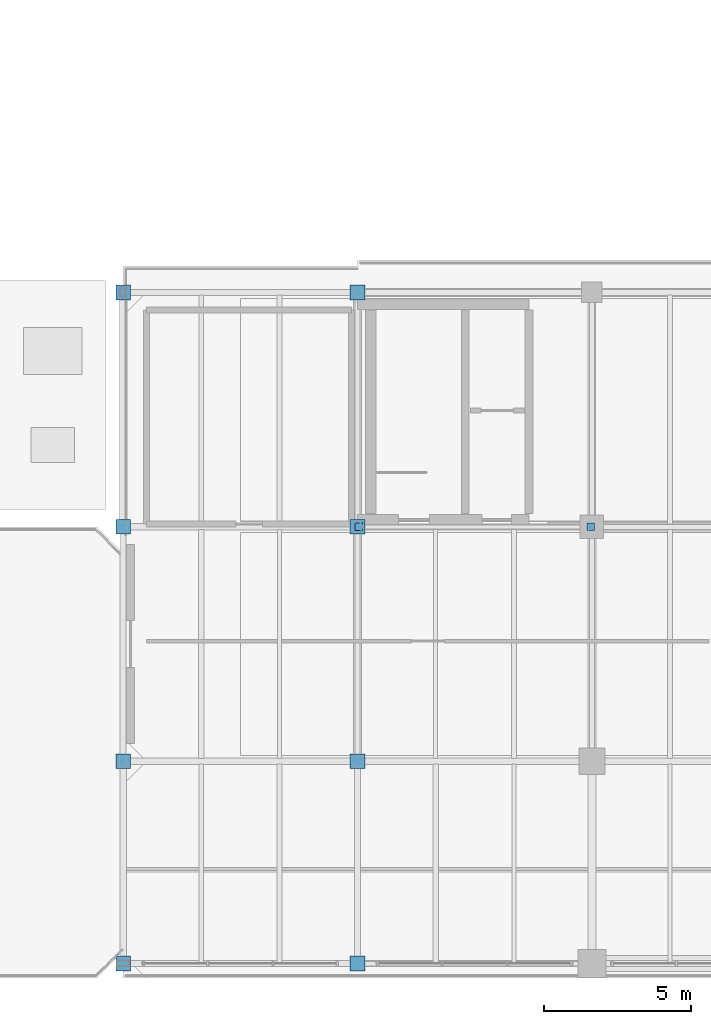
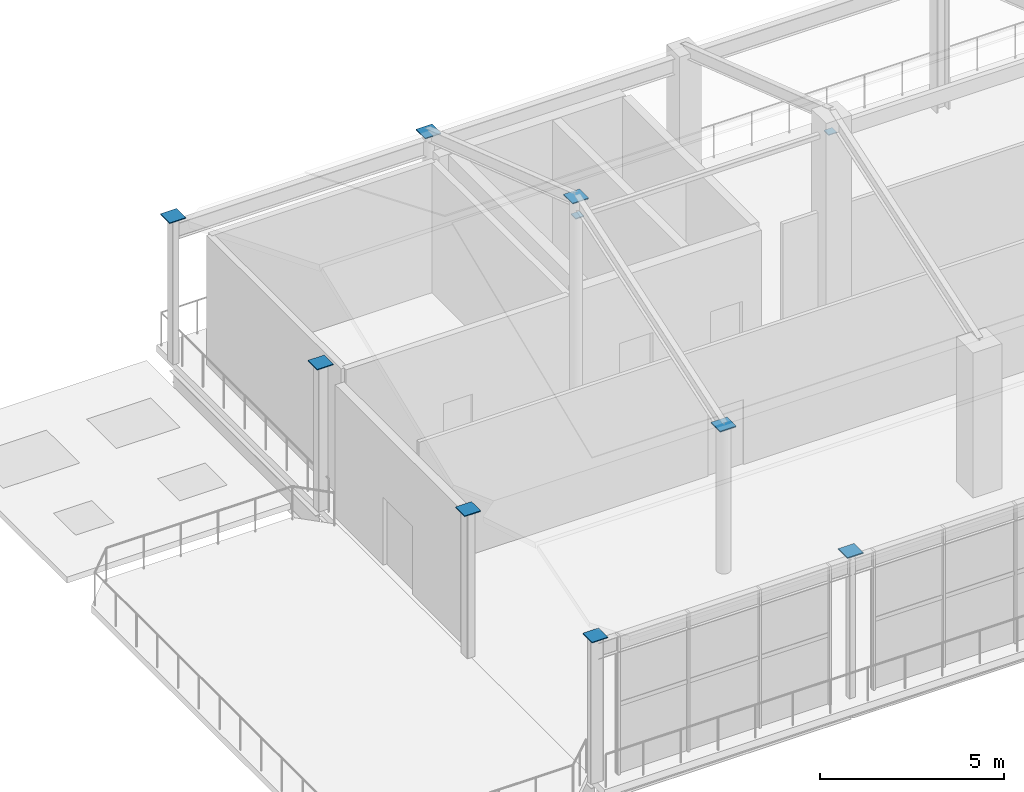
# One storey, part 43 of 51: 10 discrete accessories.
"""IFC4 building model written with IfcOpenShell, lengths in metres."""

from ifc_helpers import new_model, si_unit, direction, frame, origin, origin_2d, place, context, subcontext, project, spatial, rectangle, extrude, material, type_object, element, save


model = new_model("IFC4")

# Units and contexts
model_context = context("Model", 3, precision=1e-05, world=origin(), true_north=direction((0.0, 1.0)))
body_context = subcontext(model_context, "Body", "Model", "MODEL_VIEW")
ifc_project = project(units=[si_unit("LENGTHUNIT", "METRE"), si_unit("AREAUNIT", "SQUARE_METRE"), si_unit("VOLUMEUNIT", "CUBIC_METRE"), si_unit("PLANEANGLEUNIT", "RADIAN"), si_unit("MASSUNIT", "GRAM", prefix="KILO")], contexts=[model_context])

# Site, building, storey
site_placement = place(None, origin())
site = spatial("IfcSite", under=ifc_project, at=site_placement, CompositionType="ELEMENT")
building_placement = place(site_placement, origin())
building = spatial("IfcBuilding", under=site, at=building_placement, Name="Brisemont Oceanarium", CompositionType="ELEMENT")
storey_placement = place(building_placement, frame((0.0, 0.0, 15.0)))
storey = spatial("IfcBuildingStorey", under=building, at=storey_placement, Name="L03", CompositionType="ELEMENT", Elevation=15.0)

# Discrete accessories
ifc_material = material(Name="Structural Steel ASTM A572 Gr.50", Category="steel")
discrete_accessory_type = type_object("IfcDiscreteAccessoryType", Name="ACC-CAP-STL", PredefinedType="ANCHORPLATE", material=ifc_material)
for number, where, z_axis, x_axis, name in (
    (1, (120.0, 1.10009765625, 4.7900390625), (0.0, 0.0, 1.0), (1.0, 0.0, 0.0), "V3 L03 hollow column welded end cap (1,0)"),
    (2, (120.0, 8.0, 4.7900390625), (0.0, 0.0, 1.0), (1.0, 0.0, 0.0), "V3 L03 hollow column welded end cap (1,1)"),
    (3, (120.0, 16.0, 4.7900390625), (0.0, 0.0, 1.0), (1.0, 0.0, 0.0), "V3 L03 hollow column welded end cap (1,2)"),
    (4, (120.0, 24.0, 4.7900390625), (0.0, 0.0, 1.0), (1.0, 0.0, 0.0), "V3 L03 hollow column welded end cap (1,3)"),
    (5, (128.0, 1.10009765625, 4.7900390625), (0.0, 0.0, 1.0), (1.0, 0.0, 0.0), "V3 L03 hollow column welded end cap (2,0)"),
    (6, (128.0, 8.0, 4.7900390625), (0.0, 0.0, 1.0), (1.0, 0.0, 0.0), "V3 L03 hollow column welded end cap (2,1)"),
    (7, (128.0, 16.0, 7.48974609375), (0.0, 0.0, 1.0), (1.0, 0.0, 0.0), "V3 L03 hollow column welded end cap (2,2)"),
    (8, (128.0, 24.0, 4.7900390625), (0.0, 0.0, 1.0), (1.0, 0.0, 0.0), "V3 L03 hollow column welded end cap (2,3)"),
):
    element("IfcDiscreteAccessory", number, at=place(storey_placement, frame(where, z_axis=z_axis, x_axis=x_axis)), inside=storey, type_object=discrete_accessory_type, Name=name, PredefinedType="ANCHORPLATE", context=body_context, shape_type="SweptSolid", body=[
        extrude(rectangle(XDim=0.5, YDim=0.5, at=origin_2d()), origin(), (0.0, 0.0, 1.0), 0.030029296875),
    ])
for number, where, z_axis, x_axis, name in (
    (9, (128.0400390625, 16.0, 6.85498046875), (0.0, 0.0, 1.0), (1.0, 0.0, 0.0), "V3 purlin 1 welded end cap 1"),
    (10, (135.9599609375, 16.0, 6.85498046875), (0.0, 0.0, 1.0), (1.0, 0.0, 0.0), "V3 purlin 1 welded end cap 2"),
):
    element("IfcDiscreteAccessory", number, at=place(storey_placement, frame(where, z_axis=z_axis, x_axis=x_axis)), inside=storey, type_object=discrete_accessory_type, Name=name, PredefinedType="ANCHORPLATE", context=body_context, shape_type="SweptSolid", body=[
        extrude(rectangle(XDim=0.260009765625, YDim=0.260009765625, at=origin_2d()), origin(), (0.0, 0.0, 1.0), 0.030029296875),
    ])

save(model, "model.ifc")
